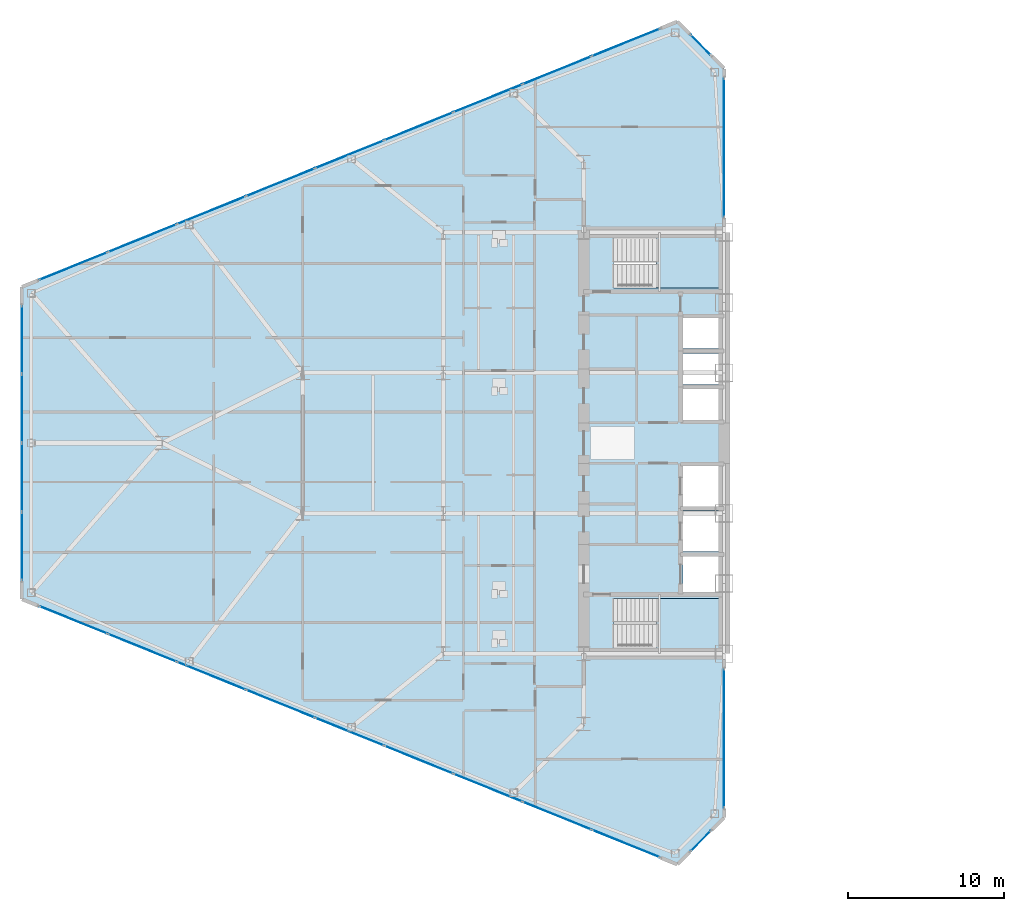
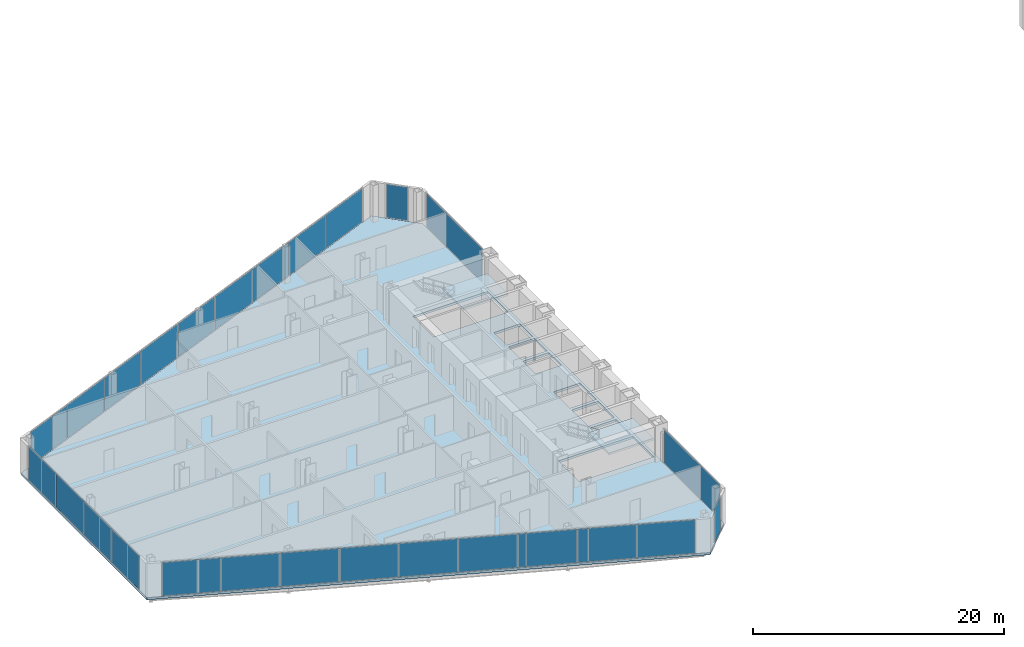
# One storey, part 15 of 25: 26 plates, 3 slabs, 9 elements without a shape of their own.
"""IFC4 building model written with IfcOpenShell, lengths in metres."""

from ifc_helpers import new_model, si_unit, direction, frame, origin, origin_2d, place, context, subcontext, project, spatial, polyline, rectangle, outline, extrude, source, transform, mapped, material, layer, layer_set, type_object, type_shapes, element, aggregate, save


model = new_model("IFC4")

# Units and contexts
model_context = context("Model", 3, precision=1e-05, world=origin(), true_north=direction((0.0, 1.0)))
body_context = subcontext(model_context, "Body", "Model", "MODEL_VIEW")
ifc_project = project(units=[si_unit("LENGTHUNIT", "METRE"), si_unit("AREAUNIT", "SQUARE_METRE"), si_unit("VOLUMEUNIT", "CUBIC_METRE"), si_unit("PLANEANGLEUNIT", "RADIAN"), si_unit("MASSUNIT", "GRAM", prefix="KILO")], contexts=[model_context])

# Site, building, storey
site_placement = place(None, origin())
site = spatial("IfcSite", under=ifc_project, at=site_placement, CompositionType="ELEMENT")
building_placement = place(site_placement, origin())
building = spatial("IfcBuilding", under=site, at=building_placement, Name="Seokmaru Belvedere", CompositionType="ELEMENT")
storey_placement = place(building_placement, frame((0.0, 0.0, 26.10009765625)))
storey = spatial("IfcBuildingStorey", under=building, at=storey_placement, Name="L06", CompositionType="ELEMENT", Elevation=26.10009765625)

# Stair, slab
ifc_material_1 = material(Name="Concrete C40 (40 MPa)", Category="concrete")
stair_type = type_object("IfcStairType", Name="Typical Tower Core Dog-Leg Stair 3600", PredefinedType="TWO_STRAIGHT_RUN_STAIR", material=ifc_material_1)
stair_1_placement = place(storey_placement, origin())
stair_1 = element("IfcStair", 1, at=stair_1_placement, inside=storey, type_object=stair_type, Name="L06 Special Escape Stair ST-W1", PredefinedType="TWO_STRAIGHT_RUN_STAIR")
ifc_layer_1 = layer(ifc_material_1, 0.199951171875)
ifc_layer_set_1 = layer_set([ifc_layer_1], Name="Concrete C40 (40 MPa)")
slab_type_1 = type_object("IfcSlabType", Name="Reinforced Concrete Stair Landing Slab 200", PredefinedType="LANDING", material=ifc_layer_set_1)
slab_1_placement = place(storey_placement, frame((0.0, 0.0, 1.599853515625)))
slab_1 = element("IfcSlab", 2, at=slab_1_placement, type_object=slab_type_1, Name="ST-W1 landing 1", PredefinedType="LANDING", context=body_context, shape_type="SweptSolid", body=[
    extrude(outline(polyline([(-31.8798828125, -13.239990234375), (-27.760009765625, -13.239990234375), (-27.760009765625, -9.949951171875), (-31.8798828125, -9.949951171875), (-31.8798828125, -13.239990234375)])), origin(), (0.0, 0.0, 1.0), 0.199951171875),
])
aggregate(stair_1, [slab_1])

stair_2_placement = place(storey_placement, origin())
stair_2 = element("IfcStair", 3, at=stair_2_placement, inside=storey, type_object=stair_type, Name="L06 Special Escape Stair ST-W2", PredefinedType="TWO_STRAIGHT_RUN_STAIR")
slab_2_placement = place(storey_placement, frame((0.0, 0.0, 1.599853515625)))
slab_2 = element("IfcSlab", 4, at=slab_2_placement, type_object=slab_type_1, Name="ST-W2 landing 1", PredefinedType="LANDING", context=body_context, shape_type="SweptSolid", body=[
    extrude(outline(polyline([(-31.8798828125, 9.949951171875), (-27.760009765625, 9.949951171875), (-27.760009765625, 13.239990234375), (-31.8798828125, 13.239990234375), (-31.8798828125, 9.949951171875)])), origin(), (0.0, 0.0, 1.0), 0.199951171875),
])
aggregate(stair_2, [slab_2])

# Slab
ifc_layer_2 = layer(ifc_material_1, 0.219970703125)
ifc_layer_set_2 = layer_set([ifc_layer_2], Name="Concrete C40 (40 MPa)")
slab_type_2 = type_object("IfcSlabType", Name="Typical Tower Composite Floor Slab 220", PredefinedType="FLOOR", material=ifc_layer_set_2)
slab_3_placement = place(storey_placement, frame((0.0, 0.0, -0.22021484375)))
element("IfcSlab", 5, at=slab_3_placement, inside=storey, type_object=slab_type_2, Name="L06 West Leg Floor Slab", PredefinedType="FLOOR", context=body_context, shape_type="SweptSolid", body=[
    extrude(outline(polyline([(-27.5, -24.0), (-27.5, 24.0), (-30.5, 27.0), (-72.5, 10.0), (-72.5, -10.0), (-30.5, -27.0), (-27.5, -24.0)]), holes=[polyline([(-34.60009765625, -13.25), (-27.75, -13.25), (-27.75, -9.949951171875), (-34.60009765625, -9.949951171875), (-34.60009765625, -13.25)]), polyline([(-34.60009765625, 9.949951171875), (-27.75, 9.949951171875), (-27.75, 13.25), (-34.60009765625, 13.25), (-34.60009765625, 9.949951171875)]), polyline([(-30.14990234375, -9.550048828125), (-27.75, -9.550048828125), (-27.75, -7.25), (-30.14990234375, -7.25), (-30.14990234375, -9.550048828125)]), polyline([(-30.14990234375, -6.949951171875), (-27.75, -6.949951171875), (-27.75, -4.35009765625), (-30.14990234375, -4.35009765625), (-30.14990234375, -6.949951171875)]), polyline([(-30.14990234375, -4.050048828125), (-27.75, -4.050048828125), (-27.75, -1.449951171875), (-30.14990234375, -1.449951171875), (-30.14990234375, -4.050048828125)]), polyline([(-30.14990234375, 1.449951171875), (-27.75, 1.449951171875), (-27.75, 3.449951171875), (-30.14990234375, 3.449951171875), (-30.14990234375, 1.449951171875)]), polyline([(-30.14990234375, 3.75), (-27.75, 3.75), (-27.75, 5.75), (-30.14990234375, 5.75), (-30.14990234375, 3.75)]), polyline([(-30.14990234375, 6.050048828125), (-27.75, 6.050048828125), (-27.75, 8.050048828125), (-30.14990234375, 8.050048828125), (-30.14990234375, 6.050048828125)])]), origin(), (0.0, 0.0, 1.0), 0.22021484375),
])

# Curtain wall, plate
ifc_material_2 = material(Name="Bronze Triple Insulating Glass", Category="glass")
ifc_layer_3 = layer(ifc_material_2, 0.2099609375)
ifc_layer_set_3 = layer_set([ifc_layer_3], Name="Bronze Triple Insulating Glass")
curtain_wall_type = type_object("IfcCurtainWallType", Name="Low-Rise Faceted Crystal Curtain Wall System CW-2", PredefinedType="NOTDEFINED", material=ifc_layer_set_3)
curtain_wall_1_placement = place(storey_placement, origin())
curtain_wall_1 = element("IfcCurtainWall", 6, at=curtain_wall_1_placement, inside=storey, type_object=curtain_wall_type, Name="L06 Curtain Wall WSP_1", PredefinedType="NOTDEFINED")
ifc_layer_4 = layer(ifc_material_2, 0.035888671875)
ifc_layer_set_4 = layer_set([ifc_layer_4], Name="Bronze Triple Insulating Glass")
plate_type = type_object("IfcPlateType", Name="Bronze Triple Vision Glazing Panel 36", PredefinedType="CURTAIN_PANEL", material=ifc_layer_set_4)
shared_shape_1 = source(origin(), body_context, "Body", "SweptSolid", [
    extrude(rectangle(XDim=8.85009765625, YDim=0.035888671875, at=origin_2d()), origin(), (0.0, 0.0, 1.0), 3.239990234375),
])
plate_1_placement = place(storey_placement, frame((-27.5, -18.929931640625, 0.06982421875), z_axis=(0.0, 0.0, 1.0), x_axis=(0.0, 1.0, 0.0)))
plate_1 = element("IfcPlate", 7, at=plate_1_placement, type_object=plate_type, Name="CW:L06:WSP_1 Glazing Panel 1-1", PredefinedType="CURTAIN_PANEL", context=body_context, shape_type="MappedRepresentation", body=[
    mapped(shared_shape_1, transform((0.0, 0.0, 0.0), scale=1.0)),
])
aggregate(curtain_wall_1, [plate_1])

curtain_wall_2_placement = place(storey_placement, origin())
curtain_wall_2 = element("IfcCurtainWall", 8, at=curtain_wall_2_placement, inside=storey, type_object=curtain_wall_type, Name="L06 Curtain Wall WSP_2", PredefinedType="NOTDEFINED")
plate_2_placement = place(storey_placement, frame((-27.5, 18.929931640625, 0.06982421875), z_axis=(0.0, 0.0, 1.0), x_axis=(0.0, 1.0, 0.0)))
plate_2 = element("IfcPlate", 9, at=plate_2_placement, type_object=plate_type, Name="CW:L06:WSP_2 Glazing Panel 1-1", PredefinedType="CURTAIN_PANEL", context=body_context, shape_type="MappedRepresentation", body=[
    mapped(shared_shape_1, transform((0.0, 0.0, 0.0), scale=1.0)),
])
aggregate(curtain_wall_2, [plate_2])

curtain_wall_3_placement = place(storey_placement, origin())
curtain_wall_3 = element("IfcCurtainWall", 10, at=curtain_wall_3_placement, inside=storey, type_object=curtain_wall_type, Name="L06 Curtain Wall WF2", PredefinedType="NOTDEFINED")
shared_shape_2 = source(origin(), body_context, "Body", "SweptSolid", [
    extrude(rectangle(XDim=1.79248046875, YDim=0.035888671875, at=origin_2d()), origin(), (0.0, 0.0, 1.0), 3.239990234375),
])
plate_3_placement = place(storey_placement, frame((-29.0, 25.5, 0.06982421875), z_axis=(0.0, 0.0, 1.0), x_axis=(-0.707106781187, 0.707106781187, 0.0)))
plate_3 = element("IfcPlate", 11, at=plate_3_placement, type_object=plate_type, Name="CW:L06:WF2 Glazing Panel 1-1", PredefinedType="CURTAIN_PANEL", context=body_context, shape_type="MappedRepresentation", body=[
    mapped(shared_shape_2, transform((0.0, 0.0, 0.0), scale=1.0)),
])
aggregate(curtain_wall_3, [plate_3])

curtain_wall_4_placement = place(storey_placement, origin())
curtain_wall_4 = element("IfcCurtainWall", 12, at=curtain_wall_4_placement, inside=storey, type_object=curtain_wall_type, Name="L06 Curtain Wall WF6", PredefinedType="NOTDEFINED")
plate_4_placement = place(storey_placement, frame((-29.0, -25.5, 0.06982421875), z_axis=(0.0, 0.0, 1.0), x_axis=(0.707106781187, 0.707106781187, 0.0)))
plate_4 = element("IfcPlate", 13, at=plate_4_placement, type_object=plate_type, Name="CW:L06:WF6 Glazing Panel 1-1", PredefinedType="CURTAIN_PANEL", context=body_context, shape_type="MappedRepresentation", body=[
    mapped(shared_shape_2, transform((0.0, 0.0, 0.0), scale=1.0)),
])
aggregate(curtain_wall_4, [plate_4])

# Curtain wall, plates
curtain_wall_5_placement = place(storey_placement, origin())
curtain_wall_5 = element("IfcCurtainWall", 14, at=curtain_wall_5_placement, inside=storey, type_object=curtain_wall_type, Name="L06 Curtain Wall WF3", PredefinedType="NOTDEFINED")
shared_shape_3 = source(origin(), body_context, "Body", "SweptSolid", [
    extrude(rectangle(XDim=4.66650390625, YDim=0.035888671875, at=origin_2d()), origin(), (0.0, 0.0, 1.0), 3.239990234375),
])
plate_5_placement = place(storey_placement, frame((-33.79833984375, 25.6650390625, 0.06982421875), z_axis=(0.0, 0.0, 1.0), x_axis=(-0.926946989637, -0.375192321888, 0.0)))
plate_5 = element("IfcPlate", 15, at=plate_5_placement, type_object=plate_type, Name="CW:L06:WF3 Glazing Panel 1-1", PredefinedType="CURTAIN_PANEL", context=body_context, shape_type="MappedRepresentation", body=[
    mapped(shared_shape_3, transform((0.0, 0.0, 0.0), scale=1.0)),
])
plate_6_placement = place(storey_placement, frame((-69.20166015625, 11.3349609375, 0.06982421875), z_axis=(0.0, 0.0, 1.0), x_axis=(-0.926946989637, -0.375192321888, 0.0)))
plate_6 = element("IfcPlate", 16, at=plate_6_placement, type_object=plate_type, Name="CW:L06:WF3 Glazing Panel 9-1", PredefinedType="CURTAIN_PANEL", context=body_context, shape_type="MappedRepresentation", body=[
    mapped(shared_shape_3, transform((0.0, 0.0, 0.0), scale=1.0)),
])

curtain_wall_6_placement = place(storey_placement, origin())
curtain_wall_6 = element("IfcCurtainWall", 17, at=curtain_wall_6_placement, inside=storey, type_object=curtain_wall_type, Name="L06 Curtain Wall WF5", PredefinedType="NOTDEFINED")
plate_7_placement = place(storey_placement, frame((-69.20166015625, -11.3349609375, 0.06982421875), z_axis=(0.0, 0.0, 1.0), x_axis=(0.926946989637, -0.375192321888, 0.0)))
plate_7 = element("IfcPlate", 18, at=plate_7_placement, type_object=plate_type, Name="CW:L06:WF5 Glazing Panel 1-1", PredefinedType="CURTAIN_PANEL", context=body_context, shape_type="MappedRepresentation", body=[
    mapped(shared_shape_3, transform((0.0, 0.0, 0.0), scale=1.0)),
])
plate_8_placement = place(storey_placement, frame((-33.79833984375, -25.6650390625, 0.06982421875), z_axis=(0.0, 0.0, 1.0), x_axis=(0.926946989637, -0.375192321888, 0.0)))
plate_8 = element("IfcPlate", 19, at=plate_8_placement, type_object=plate_type, Name="CW:L06:WF5 Glazing Panel 9-1", PredefinedType="CURTAIN_PANEL", context=body_context, shape_type="MappedRepresentation", body=[
    mapped(shared_shape_3, transform((0.0, 0.0, 0.0), scale=1.0)),
])

# Plate
shared_shape_4 = source(origin(), body_context, "Body", "SweptSolid", [
    extrude(rectangle(XDim=4.703857421875, YDim=0.035888671875, at=origin_2d()), origin(), (0.0, 0.0, 1.0), 3.239990234375),
])
plate_9_placement = place(storey_placement, frame((-38.210693359375, 23.87890625, 0.06982421875), z_axis=(0.0, 0.0, 1.0), x_axis=(-0.926946989637, -0.375192321888, 0.0)))
plate_9 = element("IfcPlate", 20, at=plate_9_placement, type_object=plate_type, Name="CW:L06:WF3 Glazing Panel 2-1", PredefinedType="CURTAIN_PANEL", context=body_context, shape_type="MappedRepresentation", body=[
    mapped(shared_shape_4, transform((0.0, 0.0, 0.0), scale=1.0)),
])

plate_10_placement = place(storey_placement, frame((-42.640380859375, 22.0859375, 0.06982421875), z_axis=(0.0, 0.0, 1.0), x_axis=(-0.926946989637, -0.375192321888, 0.0)))
plate_10 = element("IfcPlate", 21, at=plate_10_placement, type_object=plate_type, Name="CW:L06:WF3 Glazing Panel 3-1", PredefinedType="CURTAIN_PANEL", context=body_context, shape_type="MappedRepresentation", body=[
    mapped(shared_shape_4, transform((0.0, 0.0, 0.0), scale=1.0)),
])

plate_11_placement = place(storey_placement, frame((-47.0703125, 20.29296875, 0.06982421875), z_axis=(0.0, 0.0, 1.0), x_axis=(-0.926946989637, -0.375192321888, 0.0)))
plate_11 = element("IfcPlate", 22, at=plate_11_placement, type_object=plate_type, Name="CW:L06:WF3 Glazing Panel 4-1", PredefinedType="CURTAIN_PANEL", context=body_context, shape_type="MappedRepresentation", body=[
    mapped(shared_shape_4, transform((0.0, 0.0, 0.0), scale=1.0)),
])

plate_12_placement = place(storey_placement, frame((-51.5, 18.5, 0.06982421875), z_axis=(0.0, 0.0, 1.0), x_axis=(-0.926946989637, -0.375192321888, 0.0)))
plate_12 = element("IfcPlate", 23, at=plate_12_placement, type_object=plate_type, Name="CW:L06:WF3 Glazing Panel 5-1", PredefinedType="CURTAIN_PANEL", context=body_context, shape_type="MappedRepresentation", body=[
    mapped(shared_shape_4, transform((0.0, 0.0, 0.0), scale=1.0)),
])

plate_13_placement = place(storey_placement, frame((-55.9296875, 16.70703125, 0.06982421875), z_axis=(0.0, 0.0, 1.0), x_axis=(-0.926946989637, -0.375192321888, 0.0)))
plate_13 = element("IfcPlate", 24, at=plate_13_placement, type_object=plate_type, Name="CW:L06:WF3 Glazing Panel 6-1", PredefinedType="CURTAIN_PANEL", context=body_context, shape_type="MappedRepresentation", body=[
    mapped(shared_shape_4, transform((0.0, 0.0, 0.0), scale=1.0)),
])

plate_14_placement = place(storey_placement, frame((-60.359619140625, 14.9140625, 0.06982421875), z_axis=(0.0, 0.0, 1.0), x_axis=(-0.926946989637, -0.375192321888, 0.0)))
plate_14 = element("IfcPlate", 25, at=plate_14_placement, type_object=plate_type, Name="CW:L06:WF3 Glazing Panel 7-1", PredefinedType="CURTAIN_PANEL", context=body_context, shape_type="MappedRepresentation", body=[
    mapped(shared_shape_4, transform((0.0, 0.0, 0.0), scale=1.0)),
])

plate_15_placement = place(storey_placement, frame((-64.789306640625, 13.12109375, 0.06982421875), z_axis=(0.0, 0.0, 1.0), x_axis=(-0.926946989637, -0.375192321888, 0.0)))
plate_15 = element("IfcPlate", 26, at=plate_15_placement, type_object=plate_type, Name="CW:L06:WF3 Glazing Panel 8-1", PredefinedType="CURTAIN_PANEL", context=body_context, shape_type="MappedRepresentation", body=[
    mapped(shared_shape_4, transform((0.0, 0.0, 0.0), scale=1.0)),
])

aggregate(curtain_wall_5, [plate_5, plate_9, plate_10, plate_11, plate_12, plate_13, plate_14, plate_15, plate_6])

plate_16_placement = place(storey_placement, frame((-64.789306640625, -13.12109375, 0.06982421875), z_axis=(0.0, 0.0, 1.0), x_axis=(0.926946989637, -0.375192321888, 0.0)))
plate_16 = element("IfcPlate", 27, at=plate_16_placement, type_object=plate_type, Name="CW:L06:WF5 Glazing Panel 2-1", PredefinedType="CURTAIN_PANEL", context=body_context, shape_type="MappedRepresentation", body=[
    mapped(shared_shape_4, transform((0.0, 0.0, 0.0), scale=1.0)),
])

plate_17_placement = place(storey_placement, frame((-60.359619140625, -14.9140625, 0.06982421875), z_axis=(0.0, 0.0, 1.0), x_axis=(0.926946989637, -0.375192321888, 0.0)))
plate_17 = element("IfcPlate", 28, at=plate_17_placement, type_object=plate_type, Name="CW:L06:WF5 Glazing Panel 3-1", PredefinedType="CURTAIN_PANEL", context=body_context, shape_type="MappedRepresentation", body=[
    mapped(shared_shape_4, transform((0.0, 0.0, 0.0), scale=1.0)),
])

plate_18_placement = place(storey_placement, frame((-55.9296875, -16.70703125, 0.06982421875), z_axis=(0.0, 0.0, 1.0), x_axis=(0.926946989637, -0.375192321888, 0.0)))
plate_18 = element("IfcPlate", 29, at=plate_18_placement, type_object=plate_type, Name="CW:L06:WF5 Glazing Panel 4-1", PredefinedType="CURTAIN_PANEL", context=body_context, shape_type="MappedRepresentation", body=[
    mapped(shared_shape_4, transform((0.0, 0.0, 0.0), scale=1.0)),
])

plate_19_placement = place(storey_placement, frame((-51.5, -18.5, 0.06982421875), z_axis=(0.0, 0.0, 1.0), x_axis=(0.926946989637, -0.375192321888, 0.0)))
plate_19 = element("IfcPlate", 30, at=plate_19_placement, type_object=plate_type, Name="CW:L06:WF5 Glazing Panel 5-1", PredefinedType="CURTAIN_PANEL", context=body_context, shape_type="MappedRepresentation", body=[
    mapped(shared_shape_4, transform((0.0, 0.0, 0.0), scale=1.0)),
])

plate_20_placement = place(storey_placement, frame((-47.0703125, -20.29296875, 0.06982421875), z_axis=(0.0, 0.0, 1.0), x_axis=(0.926946989637, -0.375192321888, 0.0)))
plate_20 = element("IfcPlate", 31, at=plate_20_placement, type_object=plate_type, Name="CW:L06:WF5 Glazing Panel 6-1", PredefinedType="CURTAIN_PANEL", context=body_context, shape_type="MappedRepresentation", body=[
    mapped(shared_shape_4, transform((0.0, 0.0, 0.0), scale=1.0)),
])

plate_21_placement = place(storey_placement, frame((-42.640380859375, -22.0859375, 0.06982421875), z_axis=(0.0, 0.0, 1.0), x_axis=(0.926946989637, -0.375192321888, 0.0)))
plate_21 = element("IfcPlate", 32, at=plate_21_placement, type_object=plate_type, Name="CW:L06:WF5 Glazing Panel 7-1", PredefinedType="CURTAIN_PANEL", context=body_context, shape_type="MappedRepresentation", body=[
    mapped(shared_shape_4, transform((0.0, 0.0, 0.0), scale=1.0)),
])

plate_22_placement = place(storey_placement, frame((-38.210693359375, -23.87890625, 0.06982421875), z_axis=(0.0, 0.0, 1.0), x_axis=(0.926946989637, -0.375192321888, 0.0)))
plate_22 = element("IfcPlate", 33, at=plate_22_placement, type_object=plate_type, Name="CW:L06:WF5 Glazing Panel 8-1", PredefinedType="CURTAIN_PANEL", context=body_context, shape_type="MappedRepresentation", body=[
    mapped(shared_shape_4, transform((0.0, 0.0, 0.0), scale=1.0)),
])

aggregate(curtain_wall_6, [plate_7, plate_16, plate_17, plate_18, plate_19, plate_20, plate_21, plate_22, plate_8])

# Curtain wall, plates
curtain_wall_7_placement = place(storey_placement, origin())
curtain_wall_7 = element("IfcCurtainWall", 34, at=curtain_wall_7_placement, inside=storey, type_object=curtain_wall_type, Name="L06 Curtain Wall WF4", PredefinedType="NOTDEFINED")
shared_shape_5 = source(origin(), body_context, "Body", "SweptSolid", [
    extrude(rectangle(XDim=4.3125, YDim=0.035888671875, at=origin_2d()), origin(), (0.0, 0.0, 1.0), 3.239990234375),
])
plate_23_placement = place(storey_placement, frame((-72.5, 6.61865234375, 0.06982421875), z_axis=(0.0, 0.0, 1.0), x_axis=(0.0, -1.0, 0.0)))
plate_23 = element("IfcPlate", 35, at=plate_23_placement, type_object=plate_type, Name="CW:L06:WF4 Glazing Panel 1-1", PredefinedType="CURTAIN_PANEL", context=body_context, shape_type="MappedRepresentation", body=[
    mapped(shared_shape_5, transform((0.0, 0.0, 0.0), scale=1.0)),
])
plate_24_placement = place(storey_placement, frame((-72.5, -6.61865234375, 0.06982421875), z_axis=(0.0, 0.0, 1.0), x_axis=(0.0, -1.0, 0.0)))
plate_24 = element("IfcPlate", 36, at=plate_24_placement, type_object=plate_type, Name="CW:L06:WF4 Glazing Panel 4-1", PredefinedType="CURTAIN_PANEL", context=body_context, shape_type="MappedRepresentation", body=[
    mapped(shared_shape_5, transform((0.0, 0.0, 0.0), scale=1.0)),
])
shared_shape_6 = source(origin(), body_context, "Body", "SweptSolid", [
    extrude(rectangle(XDim=4.35009765625, YDim=0.035888671875, at=origin_2d()), origin(), (0.0, 0.0, 1.0), 3.239990234375),
])
type_shapes(plate_type, [shared_shape_1, shared_shape_2, shared_shape_3, shared_shape_4, shared_shape_5, shared_shape_6])
plate_25_placement = place(storey_placement, frame((-72.5, 2.21240234375, 0.06982421875), z_axis=(0.0, 0.0, 1.0), x_axis=(0.0, -1.0, 0.0)))
plate_25 = element("IfcPlate", 37, at=plate_25_placement, type_object=plate_type, Name="CW:L06:WF4 Glazing Panel 2-1", PredefinedType="CURTAIN_PANEL", context=body_context, shape_type="MappedRepresentation", body=[
    mapped(shared_shape_6, transform((0.0, 0.0, 0.0), scale=1.0)),
])
plate_26_placement = place(storey_placement, frame((-72.5, -2.21240234375, 0.06982421875), z_axis=(0.0, 0.0, 1.0), x_axis=(0.0, -1.0, 0.0)))
plate_26 = element("IfcPlate", 38, at=plate_26_placement, type_object=plate_type, Name="CW:L06:WF4 Glazing Panel 3-1", PredefinedType="CURTAIN_PANEL", context=body_context, shape_type="MappedRepresentation", body=[
    mapped(shared_shape_6, transform((0.0, 0.0, 0.0), scale=1.0)),
])
aggregate(curtain_wall_7, [plate_23, plate_25, plate_26, plate_24])

save(model, "model.ifc")
